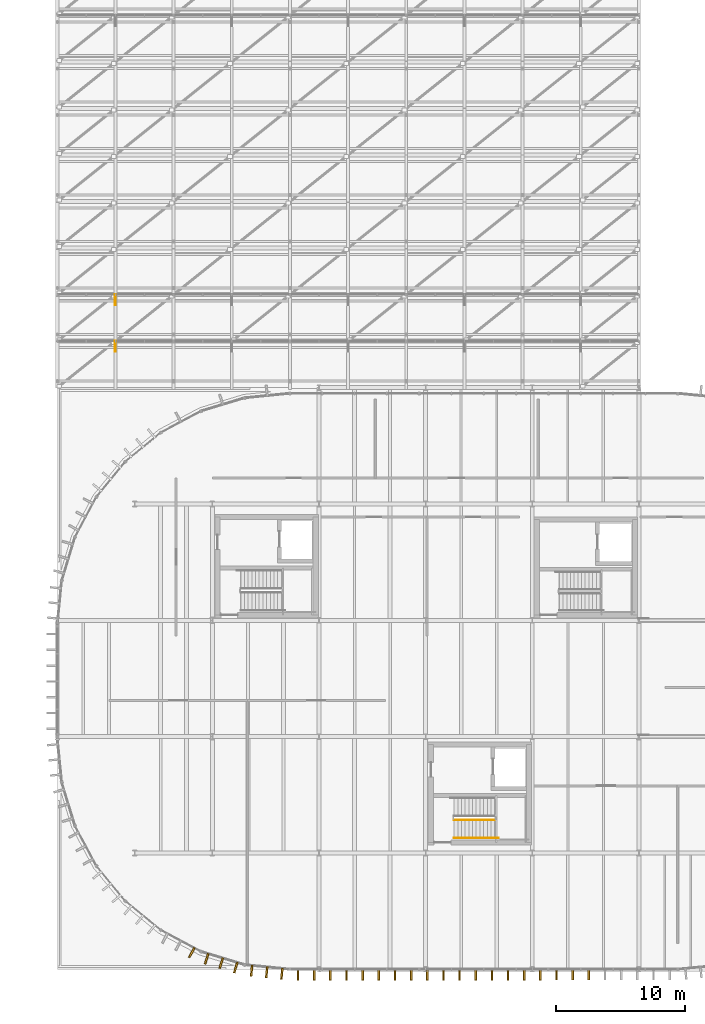
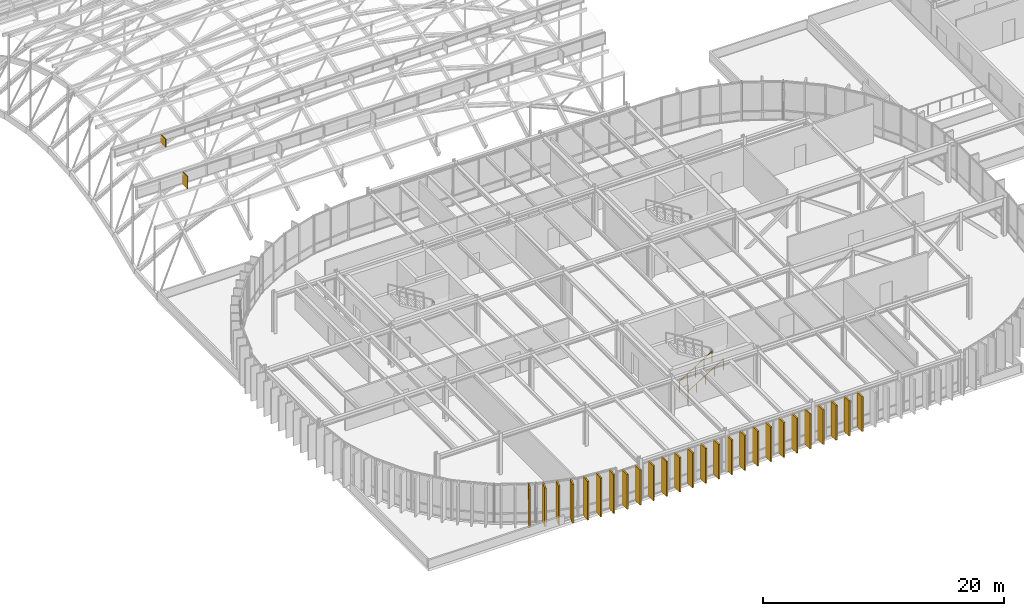
# One storey, part 61 of 69: 26 coverings, 2 railings, 2 shading devices.
"""IFC4 building model written with IfcOpenShell, lengths in metres."""

from ifc_helpers import new_model, si_unit, direction, frame, origin, origin_2d, place, context, subcontext, project, spatial, rectangle, circle, extrude, material, layer, layer_set, type_object, element, save


model = new_model("IFC4")

# Units and contexts
model_context = context("Model", 3, precision=1e-05, world=origin(), true_north=direction((0.0, 1.0)))
body_context = subcontext(model_context, "Body", "Model", "MODEL_VIEW")
ifc_project = project(units=[si_unit("LENGTHUNIT", "METRE"), si_unit("AREAUNIT", "SQUARE_METRE"), si_unit("VOLUMEUNIT", "CUBIC_METRE"), si_unit("PLANEANGLEUNIT", "RADIAN"), si_unit("MASSUNIT", "GRAM", prefix="KILO")], contexts=[model_context])

# Site, building, storey
site_placement = place(None, origin())
site = spatial("IfcSite", under=ifc_project, at=site_placement, CompositionType="ELEMENT")
building_placement = place(site_placement, origin())
building = spatial("IfcBuilding", under=site, at=building_placement, Name="Montealbar Specialist Clinic", CompositionType="ELEMENT")
storey_placement = place(building_placement, frame((0.0, 0.0, 9.60009765625)))
storey = spatial("IfcBuildingStorey", under=building, at=storey_placement, Name="L02", CompositionType="ELEMENT", Elevation=9.60009765625)

# Coverings
ifc_material_1 = material(Name="Thermally modified timber cladding", Category="wood")
ifc_layer_1 = layer(ifc_material_1, 0.139892578125, Name="Thermally modified timber cladding", Category="wood")
ifc_layer_set_1 = layer_set([ifc_layer_1], Name="Thermally modified timber cladding")
covering_type = type_object("IfcCoveringType", Name="COV-FIN-TIMBER-850", PredefinedType="CLADDING", material=ifc_layer_set_1)
for number, where, z_axis, x_axis, name in (
    (1, (95.125, -0.39990234375, 0.0), (0.0, 0.0, 1.0), (0.0, -1.0, 0.0), "Vertical Timber Solar Fin CF-L02-0117"),
    (2, (93.875, -0.39990234375, 0.0), (0.0, 0.0, 1.0), (0.0, -1.0, 0.0), "Vertical Timber Solar Fin CF-L02-0118"),
    (3, (92.625, -0.39990234375, 0.0), (0.0, 0.0, 1.0), (0.0, -1.0, 0.0), "Vertical Timber Solar Fin CF-L02-0119"),
    (4, (91.375, -0.39990234375, 0.0), (0.0, 0.0, 1.0), (0.0, -1.0, 0.0), "Vertical Timber Solar Fin CF-L02-0120"),
    (5, (90.125, -0.39990234375, 0.0), (0.0, 0.0, 1.0), (0.0, -1.0, 0.0), "Vertical Timber Solar Fin CF-L02-0121"),
    (6, (88.875, -0.39990234375, 0.0), (0.0, 0.0, 1.0), (0.0, -1.0, 0.0), "Vertical Timber Solar Fin CF-L02-0122"),
    (7, (87.625, -0.39990234375, 0.0), (0.0, 0.0, 1.0), (0.0, -1.0, 0.0), "Vertical Timber Solar Fin CF-L02-0123"),
    (8, (86.375, -0.39990234375, 0.0), (0.0, 0.0, 1.0), (0.0, -1.0, 0.0), "Vertical Timber Solar Fin CF-L02-0124"),
    (9, (85.125, -0.39990234375, 0.0), (0.0, 0.0, 1.0), (0.0, -1.0, 0.0), "Vertical Timber Solar Fin CF-L02-0125"),
    (10, (83.875, -0.39990234375, 0.0), (0.0, 0.0, 1.0), (0.0, -1.0, 0.0), "Vertical Timber Solar Fin CF-L02-0126"),
    (11, (82.625, -0.39990234375, 0.0), (0.0, 0.0, 1.0), (0.0, -1.0, 0.0), "Vertical Timber Solar Fin CF-L02-0127"),
    (12, (81.375, -0.39990234375, 0.0), (0.0, 0.0, 1.0), (0.0, -1.0, 0.0), "Vertical Timber Solar Fin CF-L02-0128"),
    (13, (80.125, -0.39990234375, 0.0), (0.0, 0.0, 1.0), (0.0, -1.0, 0.0), "Vertical Timber Solar Fin CF-L02-0129"),
    (14, (78.875, -0.39990234375, 0.0), (0.0, 0.0, 1.0), (0.0, -1.0, 0.0), "Vertical Timber Solar Fin CF-L02-0130"),
    (15, (77.625, -0.39990234375, 0.0), (0.0, 0.0, 1.0), (0.0, -1.0, 0.0), "Vertical Timber Solar Fin CF-L02-0131"),
    (16, (76.375, -0.39990234375, 0.0), (0.0, 0.0, 1.0), (0.0, -1.0, 0.0), "Vertical Timber Solar Fin CF-L02-0132"),
    (17, (75.125, -0.39990234375, 0.0), (0.0, 0.0, 1.0), (0.0, -1.0, 0.0), "Vertical Timber Solar Fin CF-L02-0133"),
    (18, (73.875, -0.39990234375, 0.0), (0.0, 0.0, 1.0), (0.0, -1.0, 0.0), "Vertical Timber Solar Fin CF-L02-0134"),
    (19, (72.625, -0.39990234375, 0.0), (0.0, 0.0, 1.0), (0.0, -1.0, 0.0), "Vertical Timber Solar Fin CF-L02-0135"),
):
    element("IfcCovering", number, at=place(storey_placement, frame(where, z_axis=z_axis, x_axis=x_axis)), inside=storey, type_object=covering_type, Name=name, PredefinedType="CLADDING", context=body_context, shape_type="SweptSolid", body=[
        extrude(rectangle(XDim=0.85009765625, YDim=0.139892578125, at=origin_2d()), origin(), (0.0, 0.0, 1.0), 3.530029296875),
    ])
for number, where, z_axis, x_axis, name in (
    (20, (71.375, -0.340087890625, 0.0), (0.0, 0.0, 1.0), (-0.098044697094, -0.995182012183, 0.0), "Vertical Timber Solar Fin CF-L02-0136"),
    (21, (70.205078125, -0.22509765625, 0.0), (0.0, 0.0, 1.0), (-0.098044697094, -0.995182012183, 0.0), "Vertical Timber Solar Fin CF-L02-0137"),
    (22, (69.033935546875, -0.110107421875, 0.0), (0.0, 0.0, 1.0), (-0.098044697094, -0.995182012183, 0.0), "Vertical Timber Solar Fin CF-L02-0138"),
    (23, (67.80908203125, 0.134033203125, 0.0), (0.0, 0.0, 1.0), (-0.290259134399, -0.956948083701, 0.0), "Vertical Timber Solar Fin CF-L02-0139"),
    (24, (66.68408203125, 0.47509765625, 0.0), (0.0, 0.0, 1.0), (-0.290259134399, -0.956948083701, 0.0), "Vertical Timber Solar Fin CF-L02-0140"),
    (25, (65.55908203125, 0.81689453125, 0.0), (0.0, 0.0, 1.0), (-0.290259134399, -0.956948083701, 0.0), "Vertical Timber Solar Fin CF-L02-0141"),
    (26, (64.405029296875, 1.294921875, 0.0), (0.0, 0.0, 1.0), (-0.471529268958, -0.881850411644, 0.0), "Vertical Timber Solar Fin CF-L02-0142"),
):
    element("IfcCovering", number, at=place(storey_placement, frame(where, z_axis=z_axis, x_axis=x_axis)), inside=storey, type_object=covering_type, Name=name, PredefinedType="CLADDING", context=body_context, shape_type="SweptSolid", body=[
        extrude(rectangle(XDim=0.85009765625, YDim=0.139892578125, at=origin_2d()), origin(), (0.0, 0.0, 1.0), 3.929931640625),
    ])

# Railings
ifc_material_2 = material(Name="Steel S355", Category="steel")
ifc_layer_2 = layer(ifc_material_2, 0.050048828125, Name="Steel S355", Category="steel")
ifc_layer_set_2 = layer_set([ifc_layer_2], Name="Steel S355")
railing_type_1 = type_object("IfcRailingType", Name="RAIL-STAIR-BAL-1100", PredefinedType="BALUSTRADE", material=ifc_layer_set_2)
railing_1_placement = place(storey_placement, frame((84.699951171875, 11.550048828125, 0.1748046875)))
element("IfcRailing", 27, at=railing_1_placement, inside=storey, type_object=railing_type_1, Name="L02 ST-04 stair guard 1", PredefinedType="BALUSTRADE", context=body_context, shape_type="SweptSolid", body=[
    extrude(circle(Radius=0.02392578125, at=origin_2d()), frame((0.0, 0.0, 1.076171875), z_axis=(0.852166034122, 0.0, 0.523271488128), x_axis=(0.0, 1.0, 0.0)), (0.0, 0.0, 1.0), 3.678955078125),
    extrude(circle(Radius=0.02099609375, at=origin_2d()), frame((0.0, 0.0, -0.02490234375)), (0.0, 0.0, 1.0), 1.076904296875),
    extrude(circle(Radius=0.02099609375, at=origin_2d()), frame((0.78369140625, 0.0, 0.456298828125)), (0.0, 0.0, 1.0), 1.076904296875),
    extrude(circle(Radius=0.02099609375, at=origin_2d()), frame((1.5673828125, 0.0, 0.9375)), (0.0, 0.0, 1.0), 1.076904296875),
    extrude(circle(Radius=0.02099609375, at=origin_2d()), frame((2.351318359375, 0.0, 1.418701171875)), (0.0, 0.0, 1.0), 1.076904296875),
    extrude(circle(Radius=0.02099609375, at=origin_2d()), frame((3.135009765625, 0.0, 1.900146484375)), (0.0, 0.0, 1.0), 1.076904296875),
])
ifc_layer_3 = layer(ifc_material_2, 0.044921875, Name="Steel S355", Category="steel")
ifc_layer_set_3 = layer_set([ifc_layer_3], Name="Steel S355")
railing_type_2 = type_object("IfcRailingType", Name="RAIL-STAIR-HR-900", PredefinedType="HANDRAIL", material=ifc_layer_set_3)
railing_2_placement = place(storey_placement, frame((84.699951171875, 10.14990234375, 0.1748046875)))
element("IfcRailing", 28, at=railing_2_placement, inside=storey, type_object=railing_type_2, Name="L02 ST-04 stair handrail 1", PredefinedType="HANDRAIL", context=body_context, shape_type="SweptSolid", body=[
    extrude(circle(Radius=0.02392578125, at=origin_2d()), frame((0.0, 0.0, 0.8759765625), z_axis=(0.852171701593, 0.0, 0.523262258341), x_axis=(0.0, 1.0, 0.0)), (0.0, 0.0, 1.0), 4.013427734375),
    extrude(circle(Radius=0.02099609375, at=origin_2d()), frame((0.0, 0.0, -0.02490234375)), (0.0, 0.0, 1.0), 0.876708984375),
    extrude(circle(Radius=0.02099609375, at=origin_2d()), frame((0.85498046875, 0.0, 0.5)), (0.0, 0.0, 1.0), 0.876708984375),
    extrude(circle(Radius=0.02099609375, at=origin_2d()), frame((1.7099609375, 0.0, 1.025146484375)), (0.0, 0.0, 1.0), 0.876708984375),
    extrude(circle(Radius=0.02099609375, at=origin_2d()), frame((2.565185546875, 0.0, 1.550048828125)), (0.0, 0.0, 1.0), 0.876708984375),
    extrude(circle(Radius=0.02099609375, at=origin_2d()), frame((3.420166015625, 0.0, 1.900146484375)), (0.0, 0.0, 1.0), 1.0517578125),
])

# Shading devices
ifc_material_3 = material(Name="Glulam GL28h", Category="wood")
ifc_layer_4 = layer(ifc_material_3, 0.074951171875, Name="Glulam GL28h", Category="wood")
ifc_layer_set_4 = layer_set([ifc_layer_4], Name="Glulam GL28h")
shading_device_type = type_object("IfcShadingDeviceType", Name="SHD-SOLAR-FIN-850", PredefinedType="USERDEFINED", material=ifc_layer_set_4)
shading_device_1_placement = place(storey_placement, frame((58.5, 48.199951171875, 7.9345703125), z_axis=(0.0, 0.0, 1.0), x_axis=(0.0, -1.0, 0.0)))
element("IfcShadingDevice", 29, at=shading_device_1_placement, inside=storey, type_object=shading_device_type, Name="Clerestory Glulam Solar Fin SD-001", ObjectType="SOLAR FIN", PredefinedType="USERDEFINED", context=body_context, shape_type="SweptSolid", body=[
    extrude(rectangle(XDim=0.85009765625, YDim=0.074951171875, at=origin_2d()), origin(), (0.0, 0.0, 1.0), 1.257080078125),
])
shading_device_2_placement = place(storey_placement, frame((58.5, 51.800048828125, 9.97509765625), z_axis=(0.0, 0.0, 1.0), x_axis=(0.0, -1.0, 0.0)))
element("IfcShadingDevice", 30, at=shading_device_2_placement, inside=storey, type_object=shading_device_type, Name="Clerestory Glulam Solar Fin SD-006", ObjectType="SOLAR FIN", PredefinedType="USERDEFINED", context=body_context, shape_type="SweptSolid", body=[
    extrude(rectangle(XDim=0.85009765625, YDim=0.074951171875, at=origin_2d()), origin(), (0.0, 0.0, 1.0), 0.803955078125),
])

save(model, "model.ifc")
